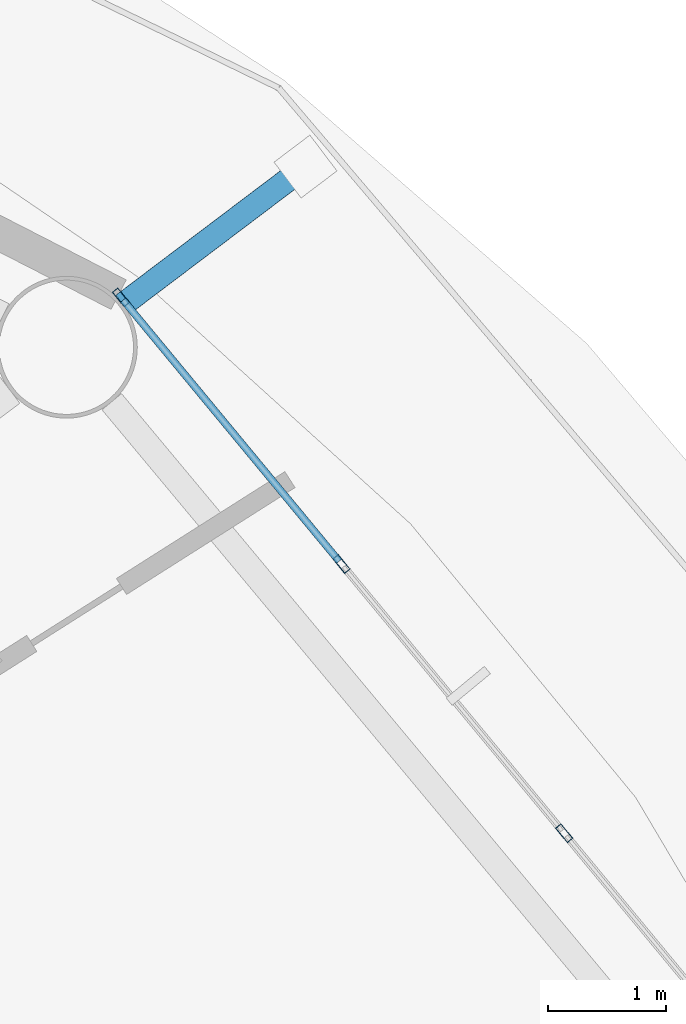
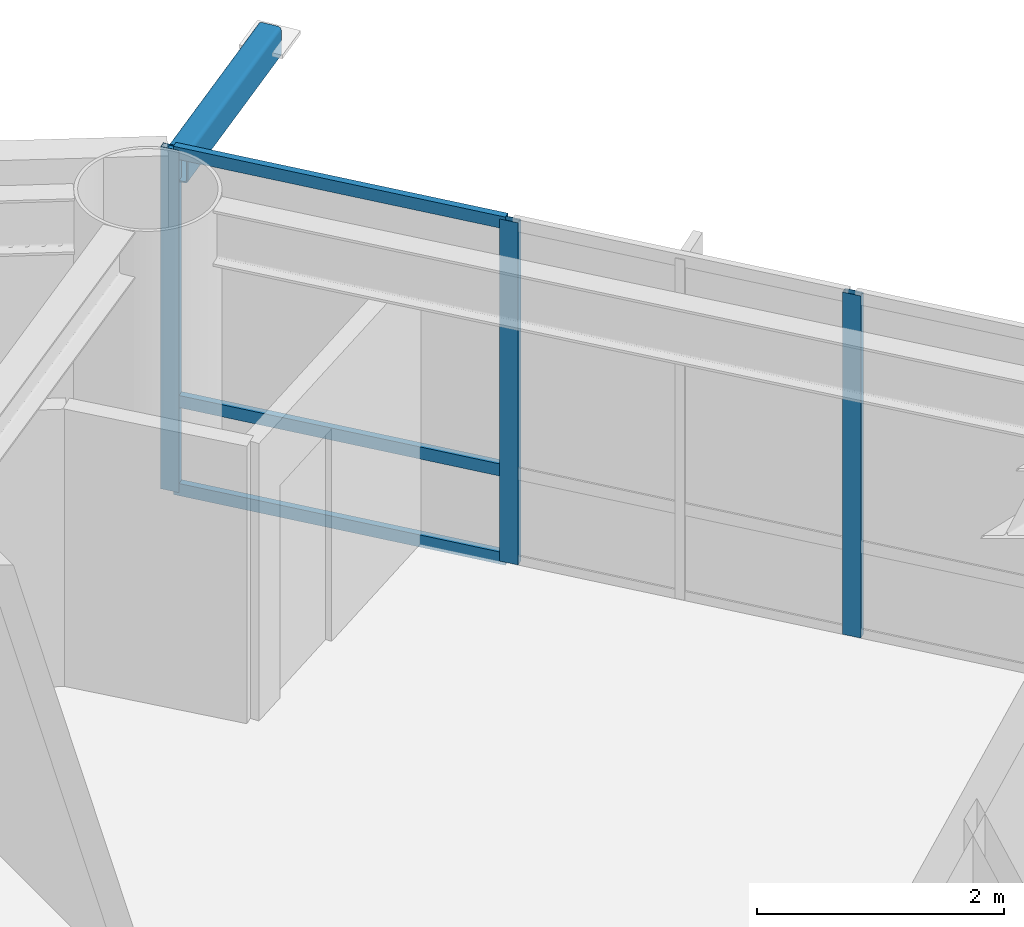
# One storey, part 15 of 28: 7 members, 1 element without a shape of its own.
"""IFC4 building model written with IfcOpenShell, lengths in metres."""

from ifc_helpers import new_model, si_unit, direction, frame, origin, origin_2d, place, context, subcontext, project, spatial, hollow_rectangle, extrude, material, layer, layer_set, material_profile, profile_set, type_object, element, aggregate, save


model = new_model("IFC4")

# Units and contexts
model_context = context("Model", 3, precision=1e-05, world=origin(), true_north=direction((0.0, 1.0)))
body_context = subcontext(model_context, "Body", "Model", "MODEL_VIEW")
ifc_project = project(units=[si_unit("LENGTHUNIT", "METRE"), si_unit("AREAUNIT", "SQUARE_METRE"), si_unit("VOLUMEUNIT", "CUBIC_METRE"), si_unit("PLANEANGLEUNIT", "RADIAN"), si_unit("MASSUNIT", "GRAM", prefix="KILO")], contexts=[model_context])

# Site, building, storey
site_placement = place(None, origin())
site = spatial("IfcSite", under=ifc_project, at=site_placement, CompositionType="ELEMENT")
building_placement = place(site_placement, origin())
building = spatial("IfcBuilding", under=site, at=building_placement, Name="Sarneth Arch Tower", CompositionType="ELEMENT")
storey_placement = place(building_placement, frame((0.0, 0.0, 183.0)))
storey = spatial("IfcBuildingStorey", under=building, at=storey_placement, Name="L46", CompositionType="ELEMENT", Elevation=183.0)

# Curtain wall, members
ifc_material_1 = material(Name="Anodised aluminium Type AA25 and solar-control low-e laminated IGU", Category="aluminium")
ifc_layer = layer(ifc_material_1, 0.169921875)
ifc_layer_set = layer_set([ifc_layer], Name="Anodised aluminium Type AA25 and solar-control low-e laminated IGU")
curtain_wall_type = type_object("IfcCurtainWallType", Name="CW-RES-MID", PredefinedType="NOTDEFINED", material=ifc_layer_set)
curtain_wall_placement = place(storey_placement, origin())
curtain_wall = element("IfcCurtainWall", 1, at=curtain_wall_placement, inside=storey, type_object=curtain_wall_type, Name="L46 Unitised curtain wall facet 02", PredefinedType="NOTDEFINED")
ifc_material_2 = material(Name="Anodised Aluminium 6063-T6", Category="aluminium")
ifc_material_profile_1 = material_profile(ifc_material_2, hollow_rectangle(XDim=0.06005859375, YDim=0.159912109375, WallThickness=0.00390625, at=origin_2d()), Name="AL-MULL-160x60x4")
ifc_profile_set_1 = profile_set([ifc_material_profile_1], Name="Anodised Aluminium 6063-T6")
member_type_1 = type_object("IfcMemberType", Name="CW-MULLION", PredefinedType="MULLION", material=ifc_profile_set_1)
member_1_placement = place(storey_placement, frame((71.346923828125, 52.3466796875, 0.0), z_axis=(0.0, 0.0, 1.0), x_axis=(-0.770590741276, -0.637330298558, 0.0)))
member_1 = element("IfcMember", 2, at=member_1_placement, type_object=member_type_1, Name="CW-SYS-5 mullion 2", PredefinedType="MULLION", context=body_context, shape_type="SweptSolid", body=[
    extrude(hollow_rectangle(XDim=0.06005859375, YDim=0.159912109375, WallThickness=0.00390625, at=origin_2d()), origin(), (0.0, 0.0, 1.0), 3.3798828125),
])
member_2_placement = place(storey_placement, frame((69.46142578125, 54.626220703125, 0.0), z_axis=(0.0, 0.0, 1.0), x_axis=(-0.770590741276, -0.637330298558, 0.0)))
member_2 = element("IfcMember", 3, at=member_2_placement, type_object=member_type_1, Name="CW-SYS-5 mullion 3", PredefinedType="MULLION", context=body_context, shape_type="SweptSolid", body=[
    extrude(hollow_rectangle(XDim=0.06005859375, YDim=0.159912109375, WallThickness=0.00390625, at=origin_2d()), origin(), (0.0, 0.0, 1.0), 3.3798828125),
])
member_3_placement = place(storey_placement, frame((67.59521484375, 56.8828125, 0.0), z_axis=(0.0, 0.0, 1.0), x_axis=(-0.770590741276, -0.637330298558, 0.0)))
member_3 = element("IfcMember", 4, at=member_3_placement, type_object=member_type_1, Name="CW-SYS-5 mullion 4", PredefinedType="MULLION", context=body_context, shape_type="SweptSolid", body=[
    extrude(hollow_rectangle(XDim=0.06005859375, YDim=0.159912109375, WallThickness=0.00390625, at=origin_2d()), origin(), (0.0, 0.0, 1.0), 3.3798828125),
])
ifc_material_3 = material(Name="Anodised Aluminium 6063-T6", Category="aluminium")
ifc_material_profile_2 = material_profile(ifc_material_3, hollow_rectangle(XDim=0.06005859375, YDim=0.1201171875, WallThickness=0.00390625, at=origin_2d()), Name="AL-TRAN-120x60x4")
ifc_profile_set_2 = profile_set([ifc_material_profile_2], Name="Anodised Aluminium 6063-T6")
member_type_2 = type_object("IfcMemberType", Name="CW-TRANSOM", PredefinedType="USERDEFINED", material=ifc_profile_set_2)
member_4_placement = place(storey_placement, frame((69.4423828125, 54.6494140625, 0.030029296875), z_axis=(-0.637358651504, 0.770567290607, 0.0), x_axis=(-0.770567290607, -0.637358651504, 0.0)))
member_4 = element("IfcMember", 5, at=member_4_placement, type_object=member_type_2, Name="CW-SYS-5 transom 3.1", ObjectType="TRANSOM", PredefinedType="USERDEFINED", context=body_context, shape_type="SweptSolid", body=[
    extrude(hollow_rectangle(XDim=0.06005859375, YDim=0.1201171875, WallThickness=0.00390625, at=origin_2d()), origin(), (0.0, 0.0, 1.0), 2.8681640625),
])
member_5_placement = place(storey_placement, frame((69.4423828125, 54.6494140625, 0.89990234375), z_axis=(-0.637358651504, 0.770567290607, 0.0), x_axis=(-0.770567290607, -0.637358651504, 0.0)))
member_5 = element("IfcMember", 6, at=member_5_placement, type_object=member_type_2, Name="CW-SYS-5 transom 3.2", ObjectType="TRANSOM", PredefinedType="USERDEFINED", context=body_context, shape_type="SweptSolid", body=[
    extrude(hollow_rectangle(XDim=0.06005859375, YDim=0.1201171875, WallThickness=0.00390625, at=origin_2d()), origin(), (0.0, 0.0, 1.0), 2.8681640625),
])
member_6_placement = place(storey_placement, frame((69.4423828125, 54.6494140625, 3.35009765625), z_axis=(-0.637358651504, 0.770567290607, 0.0), x_axis=(-0.770567290607, -0.637358651504, 0.0)))
member_6 = element("IfcMember", 7, at=member_6_placement, type_object=member_type_2, Name="CW-SYS-5 transom 3.3", ObjectType="TRANSOM", PredefinedType="USERDEFINED", context=body_context, shape_type="SweptSolid", body=[
    extrude(hollow_rectangle(XDim=0.06005859375, YDim=0.1201171875, WallThickness=0.00390625, at=origin_2d()), origin(), (0.0, 0.0, 1.0), 2.8681640625),
])
aggregate(curtain_wall, [member_1, member_2, member_3, member_4, member_5, member_6])

# Member
ifc_material_4 = material(Name="Steel S355", Category="steel")
ifc_material_profile_3 = material_profile(ifc_material_4, hollow_rectangle(XDim=0.199951171875, YDim=0.300048828125, WallThickness=0.012451171875, InnerFilletRadius=0.018798828125, OuterFilletRadius=0.03125, at=origin_2d()), Name="RHS300x200x12.5")
ifc_profile_set_3 = profile_set([ifc_material_profile_3], Name="Steel S355")
member_type_3 = type_object("IfcMemberType", Name="MEM-CANT-STRUT", PredefinedType="STRUT", material=ifc_profile_set_3)
member_7_placement = place(storey_placement, frame((67.612548828125, 56.822021484375, 3.219970703125), z_axis=(0.797755470319, 0.602981102171, 0.0), x_axis=(-0.602981102171, 0.797755470319, 0.0)))
element("IfcMember", 8, at=member_7_placement, inside=storey, type_object=member_type_3, Name="L46 Balcony cantilever bracket 03", PredefinedType="STRUT", context=body_context, shape_type="SweptSolid", body=[
    extrude(hollow_rectangle(XDim=0.199951171875, YDim=0.300048828125, WallThickness=0.012451171875, InnerFilletRadius=0.018798828125, OuterFilletRadius=0.03125, at=origin_2d()), origin(), (0.0, 0.0, 1.0), 1.9365234375),
])

save(model, "model.ifc")
